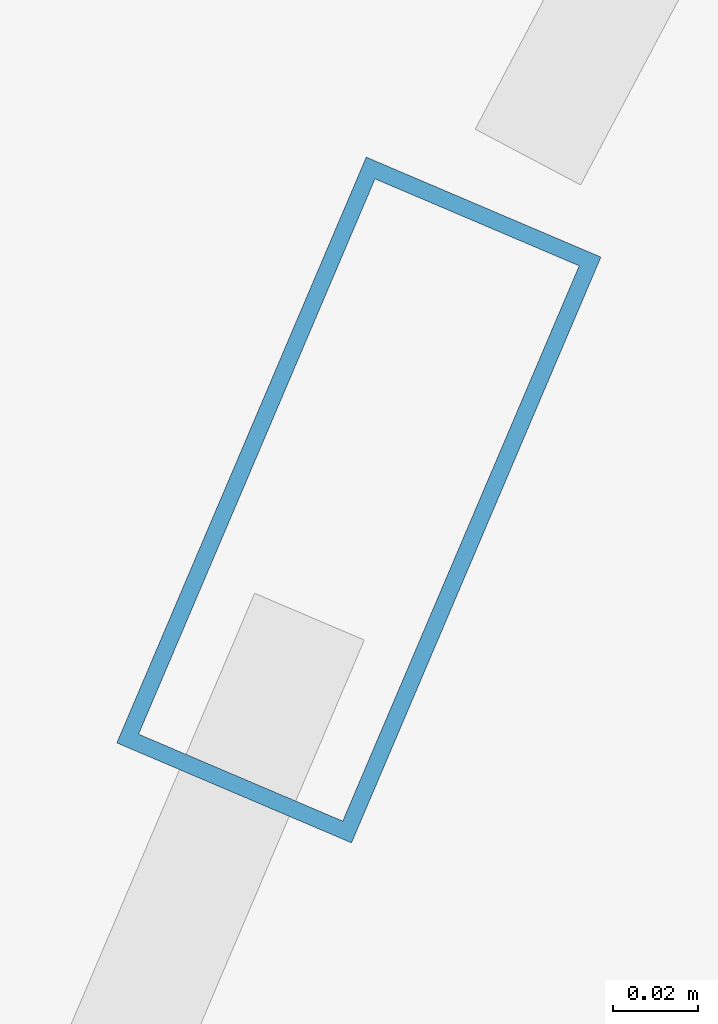
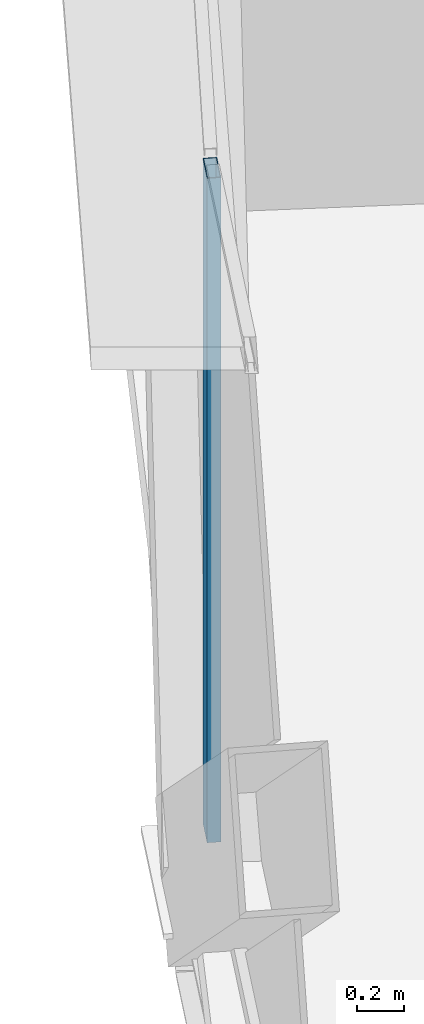
# One storey, part 8 of 39: 1 member, 1 element without a shape of its own.
"""IFC4 building model written with IfcOpenShell, lengths in metres."""

import ifcopenshell
import ifcopenshell.guid

model = None  # the IFC model being written
_history = None  # IfcOwnerHistory: only IFC2X3 demands one
_inside = {}  # id of a spatial element -> (the spatial element, [elements in it])
_under = {}  # id of a project, library or spatial element -> (it, [spatial elements below it])
_declared = {}  # id of a project -> (the project, [libraries it declares])
_typed = {}  # id of a type object -> (the type object, [elements of that type])
_made_of = {}  # id of a material, layer set ... -> (it, [elements and type objects made of it])


def new_model(schema):
    """Start an empty IFC model of exactly this schema.

    Asked for "IFC4X3", IfcOpenShell would pick the latest addendum, in which some entities
    have other attributes; the version numbers below select the first issue.
    IFC2X3 requires an IfcOwnerHistory on every rooted entity: one is made here for all.
    """
    global model, _history
    if schema == "IFC4X3":
        model = ifcopenshell.file(schema_version=(4, 3, 0, 0))
    else:
        model = ifcopenshell.file(schema=schema)
    _inside.clear()
    _under.clear()
    _declared.clear()
    _typed.clear()
    _made_of.clear()
    _history = None
    if model.schema == "IFC2X3":
        org = make("IfcOrganization", Name="unknown")
        user = make(
            "IfcPersonAndOrganization",
            ThePerson=make("IfcPerson", FamilyName="unknown"),
            TheOrganization=org,
        )
        app = make(
            "IfcApplication",
            ApplicationDeveloper=org,
            Version="unknown",
            ApplicationFullName="unknown",
            ApplicationIdentifier="unknown",
        )
        _history = make(
            "IfcOwnerHistory",
            OwningUser=user,
            OwningApplication=app,
            ChangeAction="ADDED",
            CreationDate=0,
        )
    return model


def make(cls, **values):
    """One entity of the class cls with the attributes given. An attribute that is None is left unset."""
    return model.create_entity(
        cls, **{name: value for name, value in values.items() if value is not None}
    )


def rooted(cls, **values):
    """An entity with a GlobalId (a new one), such as an element, a storey or a relation."""
    return make(cls, GlobalId=ifcopenshell.guid.new(), OwnerHistory=_history, **values)


def si_unit(unit_type, name, prefix=None):
    """IfcSIUnit, for example si_unit("LENGTHUNIT", "METRE", prefix="MILLI")."""
    return make("IfcSIUnit", UnitType=unit_type, Prefix=prefix, Name=name)


def assignment(units):
    """IfcUnitAssignment: the units of a project."""
    return None if units is None else make("IfcUnitAssignment", Units=units)


def point(xyz):
    """IfcCartesianPoint."""
    return None if xyz is None else make("IfcCartesianPoint", Coordinates=xyz)


def direction(xyz):
    """IfcDirection."""
    return None if xyz is None else make("IfcDirection", DirectionRatios=xyz)


def frame(location, z_axis=None, x_axis=None):
    """IfcAxis2Placement3D, a coordinate frame: its origin and axes. An axis left out is left unset."""
    return make(
        "IfcAxis2Placement3D",
        Location=point(location),
        Axis=direction(z_axis),
        RefDirection=direction(x_axis),
    )


def frame_2d(location, x_axis=None):
    """IfcAxis2Placement2D, a coordinate frame in the plane: its origin and x axis."""
    return make(
        "IfcAxis2Placement2D", Location=point(location), RefDirection=direction(x_axis)
    )


def origin():
    """The frame at (0, 0, 0) with its axes left unset."""
    return frame((0.0, 0.0, 0.0))


def origin_2d():
    """The frame at (0, 0) in the plane with its x axis left unset."""
    return frame_2d((0.0, 0.0))


def place(relative_to, where):
    """IfcLocalPlacement: puts the frame where relative to a parent placement (None: the world)."""
    return make(
        "IfcLocalPlacement", PlacementRelTo=relative_to, RelativePlacement=where
    )


def context(
    kind, dimensions, precision=None, world=None, true_north=None, identifier=None
):
    """IfcGeometricRepresentationContext, for example the 3D "Model" context."""
    return make(
        "IfcGeometricRepresentationContext",
        ContextIdentifier=identifier,
        ContextType=kind,
        CoordinateSpaceDimension=dimensions,
        Precision=precision,
        WorldCoordinateSystem=world,
        TrueNorth=true_north,
    )


def subcontext(parent, identifier, kind, view, scale=None):
    """IfcGeometricRepresentationSubContext, for example "Body" below "Model"."""
    return make(
        "IfcGeometricRepresentationSubContext",
        ContextIdentifier=identifier,
        ContextType=kind,
        ParentContext=parent,
        TargetScale=scale,
        TargetView=view,
    )


def project(units=None, contexts=None):
    """IfcProject with its units and contexts."""
    return rooted(
        "IfcProject",
        Name="project",
        RepresentationContexts=contexts,
        UnitsInContext=assignment(units),
    )


def spatial(cls, under=None, at=None, **own):
    """A site, building, storey or space (cls), placed at a placement, below another one or the project."""
    s = rooted(cls, ObjectPlacement=at, **own)
    if under is not None:
        _under.setdefault(under.id(), (under, []))[1].append(s)
    return s


def profile(cls, at=None, kind="AREA", **sizes):
    """A parametric profile (cls). Its sizes go by their IFC names, for example OverallWidth=200.0."""
    return make(cls, ProfileType=kind, Position=at, **sizes)


def hollow_rectangle(**sizes):
    """IfcRectangleHollowProfileDef."""
    return profile("IfcRectangleHollowProfileDef", **sizes)


def extrude(swept, where, along, depth):
    """IfcExtrudedAreaSolid: the profile swept, set in the frame where, extruded along a direction by depth."""
    return make(
        "IfcExtrudedAreaSolid",
        SweptArea=swept,
        Position=where,
        ExtrudedDirection=direction(along),
        Depth=depth,
    )


def shape(context_of_items, identifier, shape_type, items):
    """IfcShapeRepresentation: the items that make up one representation, for example the "Body"."""
    return make(
        "IfcShapeRepresentation",
        ContextOfItems=context_of_items,
        RepresentationIdentifier=identifier,
        RepresentationType=shape_type,
        Items=items,
    )


def source(mapping_origin, context_of_items, identifier, shape_type, items):
    """IfcRepresentationMap: a shape defined once, which mapped items show again and again."""
    return make(
        "IfcRepresentationMap",
        MappingOrigin=mapping_origin,
        MappedRepresentation=shape(context_of_items, identifier, shape_type, items),
    )


def transform(
    local_origin,
    x_axis=None,
    y_axis=None,
    z_axis=None,
    scale=None,
    scale2=None,
    scale3=None,
    uniform=True,
):
    """IfcCartesianTransformationOperator3D, or its non-uniform kind. x_axis, y_axis, z_axis: its Axis1, 2, 3."""
    if uniform:
        return make(
            "IfcCartesianTransformationOperator3D",
            Axis1=direction(x_axis),
            Axis2=direction(y_axis),
            LocalOrigin=point(local_origin),
            Scale=scale,
            Axis3=direction(z_axis),
        )
    return make(
        "IfcCartesianTransformationOperator3DnonUniform",
        Axis1=direction(x_axis),
        Axis2=direction(y_axis),
        LocalOrigin=point(local_origin),
        Scale=scale,
        Axis3=direction(z_axis),
        Scale2=scale2,
        Scale3=scale3,
    )


def mapped(mapping_source, mapping_target):
    """IfcMappedItem: shows the shape of a source again, moved by a transform."""
    return make(
        "IfcMappedItem", MappingSource=mapping_source, MappingTarget=mapping_target
    )


def material(Name=None, Category=None):
    """IfcMaterial."""
    return make("IfcMaterial", Name=Name, Category=Category)


def layer(
    of_material, thickness, ventilated=None, Name=None, Category=None, Priority=None
):
    """IfcMaterialLayer: one layer of a wall or slab, of a material (None: an air gap)."""
    return make(
        "IfcMaterialLayer",
        Material=of_material,
        LayerThickness=thickness,
        IsVentilated=ventilated,
        Name=Name,
        Category=Category,
        Priority=Priority,
    )


def layer_set(layers, Name=None):
    """IfcMaterialLayerSet."""
    return make("IfcMaterialLayerSet", MaterialLayers=layers, LayerSetName=Name)


def material_profile(
    of_material, cross_section, Name=None, Category=None, Priority=None
):
    """IfcMaterialProfile: a cross section and its material."""
    return make(
        "IfcMaterialProfile",
        Name=Name,
        Material=of_material,
        Profile=cross_section,
        Priority=Priority,
        Category=Category,
    )


def profile_set(profiles, Name=None, composite=None):
    """IfcMaterialProfileSet."""
    return make(
        "IfcMaterialProfileSet",
        Name=Name,
        MaterialProfiles=profiles,
        CompositeProfile=composite,
    )


def made_of(thing, what):
    """Note that an element or type object is made of a material, layer set ...; save() writes the relation."""
    if what is not None:
        _made_of.setdefault(what.id(), (what, []))[1].append(thing)
    return thing


def type_object(cls, material=None, **own):
    """A type object (cls), such as IfcWallType, which elements share."""
    return made_of(rooted(cls, **own), material)


def element(
    cls,
    number,
    at=None,
    inside=None,
    cuts=None,
    type_object=None,
    material=None,
    context=None,
    identifier="Body",
    shape_type=None,
    held_by="IfcProductDefinitionShape",
    body=None,
    shapes=None,
    **own,
):
    """One element of the class cls, such as IfcWall. Its Tag is "e" and its number.

    at: its placement. inside: the storey or other place that contains it. cuts: it is an
    opening in that element (IfcRelVoidsElement). A single representation is given by context,
    identifier, shape_type and body (its items); several are given by shapes. held_by: the class
    of the entity that holds the representations. save() writes the other relations.
    """
    e = rooted(cls, Tag="e%d" % number, ObjectPlacement=at, **own)
    if body is not None:
        shapes = [shape(context, identifier, shape_type, body)]
    if shapes is not None:
        e.Representation = make(held_by, Representations=shapes)
    if inside is not None:
        _inside.setdefault(inside.id(), (inside, []))[1].append(e)
    if cuts is not None:
        rooted(
            "IfcRelVoidsElement", RelatingBuildingElement=cuts, RelatedOpeningElement=e
        )
    if type_object is not None:
        _typed.setdefault(type_object.id(), (type_object, []))[1].append(e)
    return made_of(e, material)


def aggregate(whole, parts):
    """IfcRelAggregates: a whole, such as a stair, and the parts it consists of."""
    return rooted("IfcRelAggregates", RelatingObject=whole, RelatedObjects=parts)


def save(model, path):
    """Write the relations noted so far, then the file.

    IfcRelAggregates (storeys below a building ...), IfcRelContainedInSpatialStructure (elements
    in a storey), IfcRelDefinesByType, IfcRelAssociatesMaterial and IfcRelDeclares: one each for
    every whole, place, type object, material and project.
    """
    for whole, parts in _under.values():
        aggregate(whole, parts)
    for where, things in _inside.values():
        rooted(
            "IfcRelContainedInSpatialStructure",
            RelatedElements=things,
            RelatingStructure=where,
        )
    for kind, things in _typed.values():
        rooted("IfcRelDefinesByType", RelatedObjects=things, RelatingType=kind)
    for what, things in _made_of.values():
        rooted("IfcRelAssociatesMaterial", RelatedObjects=things, RelatingMaterial=what)
    for by, libraries in _declared.values():
        rooted("IfcRelDeclares", RelatingContext=by, RelatedDefinitions=libraries)
    model.write(path)


model = new_model("IFC4")

# Units and contexts
model_context = context("Model", 3, precision=1e-05, world=origin(), true_north=direction((0.0, 1.0)))
body_context = subcontext(model_context, "Body", "Model", "MODEL_VIEW")
ifc_project = project(units=[si_unit("LENGTHUNIT", "METRE"), si_unit("AREAUNIT", "SQUARE_METRE"), si_unit("VOLUMEUNIT", "CUBIC_METRE"), si_unit("PLANEANGLEUNIT", "RADIAN"), si_unit("MASSUNIT", "GRAM", prefix="KILO"), si_unit("THERMODYNAMICTEMPERATUREUNIT", "KELVIN"), si_unit("POWERUNIT", "WATT")], contexts=[model_context])

# Site, building, storey
site_placement = place(None, origin())
site = spatial("IfcSite", under=ifc_project, at=site_placement, CompositionType="ELEMENT")
building_placement = place(site_placement, origin())
building = spatial("IfcBuilding", under=site, at=building_placement, Name="Yunzhuo Pagoda Commons", CompositionType="ELEMENT")
storey_placement = place(building_placement, frame((0.0, 0.0, 144.550048828125)))
storey = spatial("IfcBuildingStorey", under=building, at=storey_placement, Name="L36", CompositionType="ELEMENT", Elevation=144.550048828125)

# Curtain wall, member
ifc_material = material(Name="Anodized aluminium 6063-T6", Category="aluminium")
ifc_layer = layer(ifc_material, 0.14990234375)
ifc_layer_set = layer_set([ifc_layer], Name="Anodized aluminium 6063-T6")
curtain_wall_type = type_object("IfcCurtainWallType", Name="CW-MID Mid-Zone Ribbon Curtain Wall", PredefinedType="NOTDEFINED", material=ifc_layer_set)
curtain_wall_placement = place(storey_placement, origin())
curtain_wall = element("IfcCurtainWall", 1, at=curtain_wall_placement, inside=storey, type_object=curtain_wall_type, Name="L36 curtain wall CW-L36-F3B4", PredefinedType="NOTDEFINED")
ifc_material_profile = material_profile(ifc_material, hollow_rectangle(XDim=0.06005859375, YDim=0.14990234375, WallThickness=0.00390625, at=origin_2d()), Name="Anodized aluminium 6063-T6")
ifc_profile_set = profile_set([ifc_material_profile], Name="Anodized aluminium 6063-T6")
member_type = type_object("IfcMemberType", Name="CW-MID-M Mullion RHS 150x60x4", PredefinedType="MULLION", material=ifc_profile_set)
shared_shape = source(origin(), body_context, "Body", "SweptSolid", [
    extrude(hollow_rectangle(XDim=0.06005859375, YDim=0.14990234375, WallThickness=0.00390625, at=origin_2d()), origin(), (0.0, 0.0, 1.0), 3.419921875),
])
member_placement = place(storey_placement, frame((16.53662109375, 43.8916015625, 0.0), z_axis=(0.0, 0.0, 1.0), x_axis=(0.920072228059, -0.391748765351, 0.0)))
member = element("IfcMember", 2, at=member_placement, type_object=member_type, Name="CW mullion 1", PredefinedType="MULLION", context=body_context, shape_type="MappedRepresentation", body=[
    mapped(shared_shape, transform((0.0, 0.0, 0.0), scale=1.0)),
])
aggregate(curtain_wall, [member])

save(model, "model.ifc")
